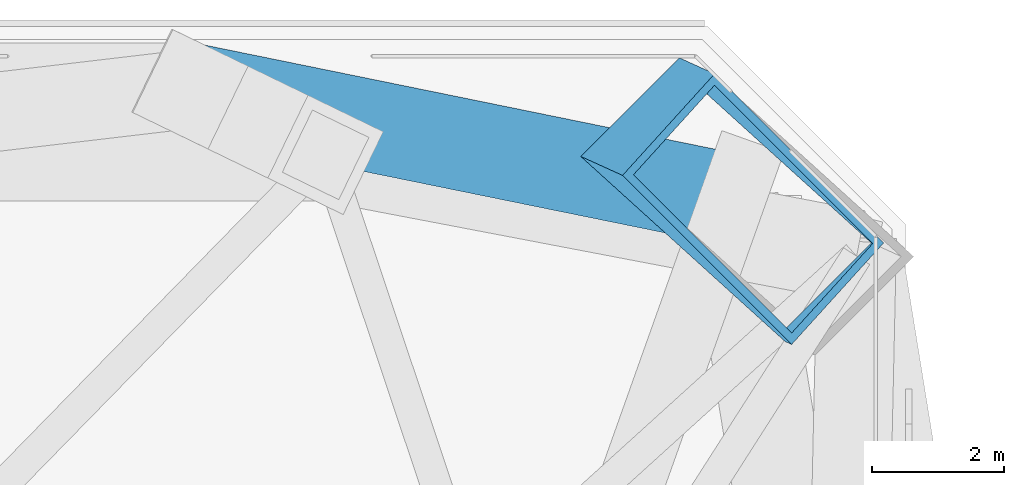
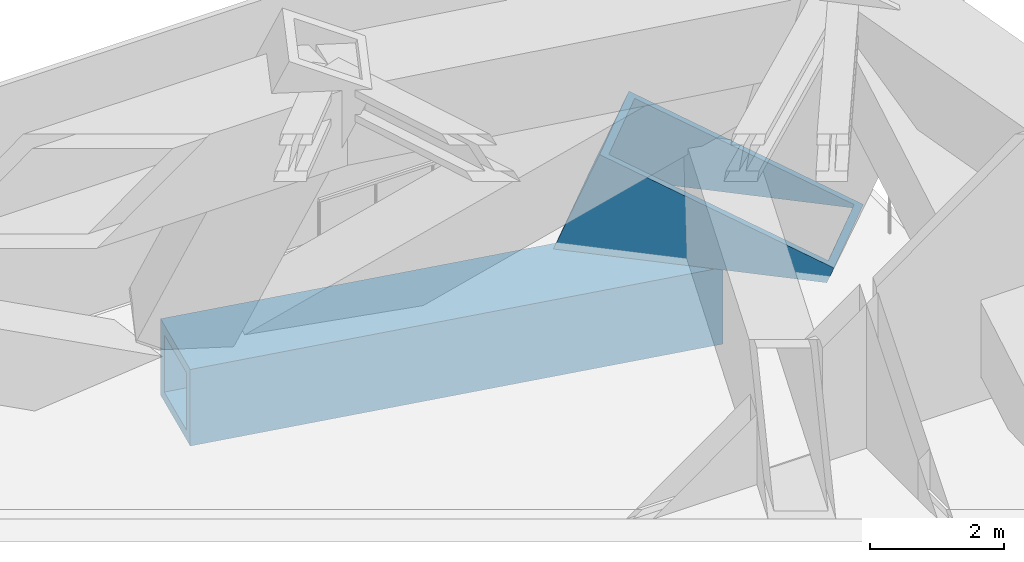
# One storey, part 3 of 11: 2 members.
"""IFC4 building model written with IfcOpenShell, lengths in metres."""

from ifc_helpers import new_model, si_unit, direction, frame, origin, origin_2d, place, context, subcontext, project, spatial, hollow_rectangle, extrude, clip, halfspace, material, material_profile, profile_set, type_object, element, save


model = new_model("IFC4")

# Units and contexts
model_context = context("Model", 3, precision=1e-05, world=origin(), true_north=direction((0.0, 1.0)))
body_context = subcontext(model_context, "Body", "Model", "MODEL_VIEW")
ifc_project = project(units=[si_unit("LENGTHUNIT", "METRE"), si_unit("AREAUNIT", "SQUARE_METRE"), si_unit("VOLUMEUNIT", "CUBIC_METRE"), si_unit("PLANEANGLEUNIT", "RADIAN"), si_unit("MASSUNIT", "GRAM", prefix="KILO")], contexts=[model_context])

# Site, building, storey
site_placement = place(None, origin())
site = spatial("IfcSite", under=ifc_project, at=site_placement, CompositionType="ELEMENT")
building_placement = place(site_placement, origin())
building = spatial("IfcBuilding", under=site, at=building_placement, Name="Jalousie Tower", CompositionType="ELEMENT")
storey_placement = place(building_placement, frame((0.0, 0.0, 144.35009765625)))
storey = spatial("IfcBuildingStorey", under=building, at=storey_placement, Name="L39", CompositionType="ELEMENT", Elevation=144.35009765625)

# Members
ifc_material_1 = material(Name="Steel EN 10025-2 S355J2 plate", Category="steel")
ifc_material_profile_1 = material_profile(ifc_material_1, hollow_rectangle(XDim=1.39990234375, YDim=1.39990234375, WallThickness=0.175048828125, at=origin_2d()), Name="BOX 1400x1400x175")
ifc_profile_set_1 = profile_set([ifc_material_profile_1], Name="Steel EN 10025-2 S355J2 plate")
member_type_1 = type_object("IfcMemberType", Name="BELT TRUSS CHORD BOX 1400x1400x175", PredefinedType="CHORD", material=ifc_profile_set_1)
member_1_placement = place(storey_placement, frame((46.86865234375, 35.36865234375, -0.97998046875), z_axis=(-0.97982690954, 0.199848010602, 0.0), x_axis=(-0.199848010602, -0.97982690954, 0.0)))
element("IfcMember", 1, at=member_1_placement, inside=storey, type_object=member_type_1, Name="Belt truss T2 08-09 chord L39", PredefinedType="CHORD", context=body_context, shape_type="SweptSolid", body=[
    extrude(hollow_rectangle(XDim=1.39990234375, YDim=1.39990234375, WallThickness=0.175048828125, at=origin_2d()), origin(), (0.0, 0.0, 1.0), 8.413330078125),
])
ifc_material_2 = material(Name="Steel EN 10025-2 S355J2 plate", Category="steel")
ifc_material_profile_2 = material_profile(ifc_material_2, hollow_rectangle(XDim=2.10009765625, YDim=3.89990234375, WallThickness=0.125, at=origin_2d()), Name="BOX 3900x2100x125")
ifc_profile_set_2 = profile_set([ifc_material_profile_2], Name="Steel EN 10025-2 S355J2 plate")
member_type_2 = type_object("IfcMemberType", Name="KINK NODE BOX 3900x2100x125", PredefinedType="MEMBER", material=ifc_profile_set_2)
member_2_placement = place(storey_placement, frame((46.55126953125, 35.5126953125, -0.8388671875), z_axis=(0.349314572458, -0.158596073682, 0.923486120568), x_axis=(-0.666127467738, -0.735167092839, 0.125712140751)))
element("IfcMember", 2, at=member_2_placement, inside=storey, type_object=member_type_2, Name="Kink node of corner column 08 at +144.350", PredefinedType="MEMBER", context=body_context, shape_type="Clipping", body=[
    clip(extrude(hollow_rectangle(XDim=2.10009765625, YDim=3.89990234375, WallThickness=0.125, at=origin_2d()), origin(), (0.0, 0.0, 1.0), 1.81640625), halfspace(frame((0.0, 0.0, 0.908447265625), z_axis=(0.125712140751, -0.362449779675, 0.923486120568)), True)),
])

save(model, "model.ifc")
